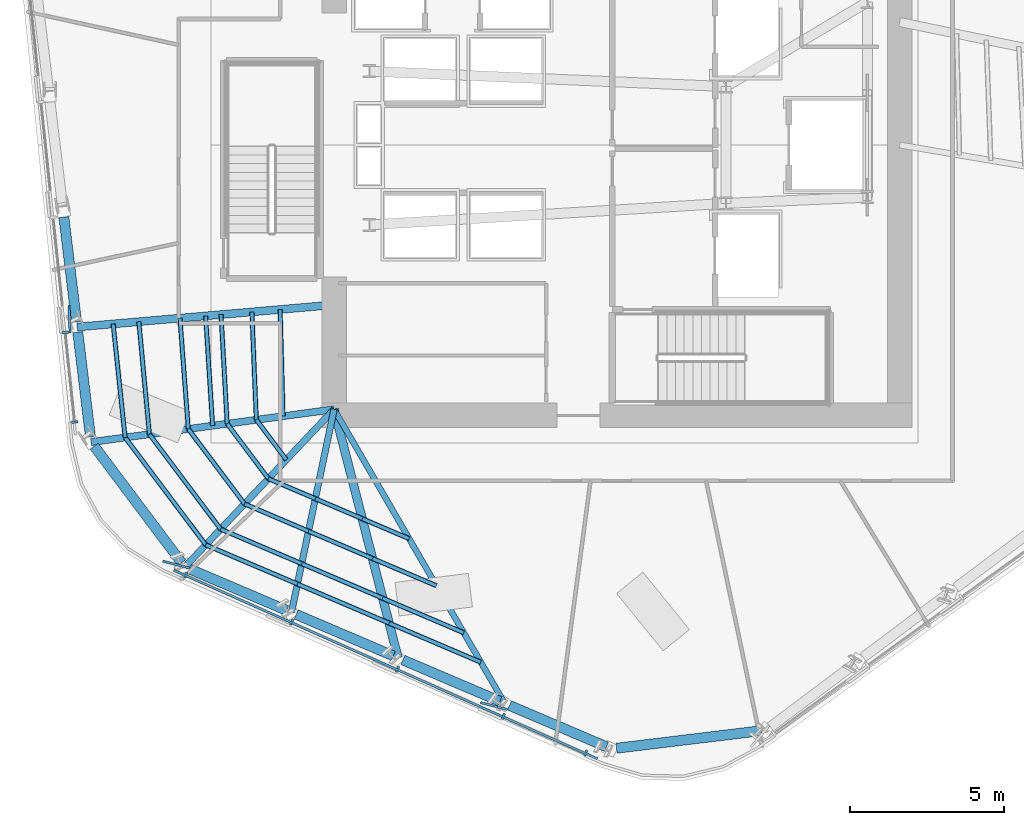
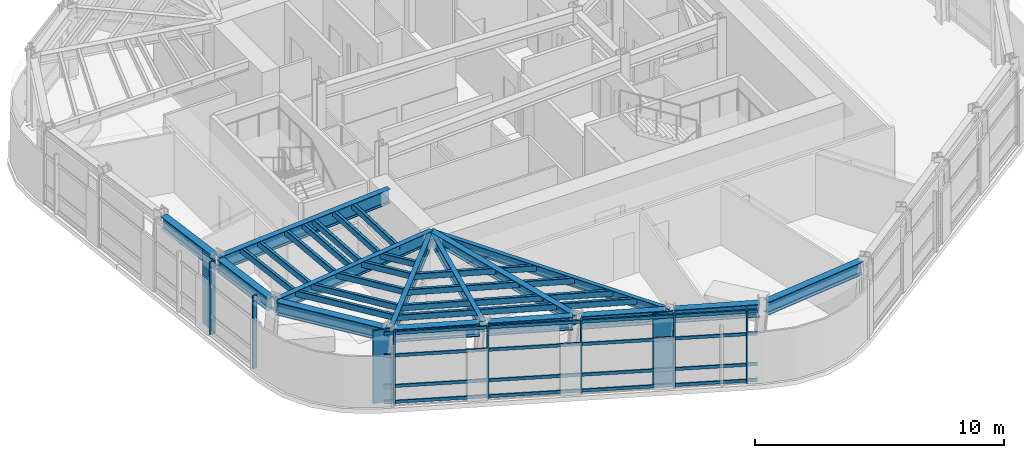
# One storey, part 2 of 14: 38 members, 14 beams, 2 elements without a shape of their own.
"""IFC4 building model written with IfcOpenShell, lengths in metres."""

import ifcopenshell
import ifcopenshell.guid

model = None  # the IFC model being written
_history = None  # IfcOwnerHistory: only IFC2X3 demands one
_inside = {}  # id of a spatial element -> (the spatial element, [elements in it])
_under = {}  # id of a project, library or spatial element -> (it, [spatial elements below it])
_declared = {}  # id of a project -> (the project, [libraries it declares])
_typed = {}  # id of a type object -> (the type object, [elements of that type])
_made_of = {}  # id of a material, layer set ... -> (it, [elements and type objects made of it])


def new_model(schema):
    """Start an empty IFC model of exactly this schema.

    Asked for "IFC4X3", IfcOpenShell would pick the latest addendum, in which some entities
    have other attributes; the version numbers below select the first issue.
    IFC2X3 requires an IfcOwnerHistory on every rooted entity: one is made here for all.
    """
    global model, _history
    if schema == "IFC4X3":
        model = ifcopenshell.file(schema_version=(4, 3, 0, 0))
    else:
        model = ifcopenshell.file(schema=schema)
    _inside.clear()
    _under.clear()
    _declared.clear()
    _typed.clear()
    _made_of.clear()
    _history = None
    if model.schema == "IFC2X3":
        org = make("IfcOrganization", Name="unknown")
        user = make(
            "IfcPersonAndOrganization",
            ThePerson=make("IfcPerson", FamilyName="unknown"),
            TheOrganization=org,
        )
        app = make(
            "IfcApplication",
            ApplicationDeveloper=org,
            Version="unknown",
            ApplicationFullName="unknown",
            ApplicationIdentifier="unknown",
        )
        _history = make(
            "IfcOwnerHistory",
            OwningUser=user,
            OwningApplication=app,
            ChangeAction="ADDED",
            CreationDate=0,
        )
    return model


def make(cls, **values):
    """One entity of the class cls with the attributes given. An attribute that is None is left unset."""
    return model.create_entity(
        cls, **{name: value for name, value in values.items() if value is not None}
    )


def rooted(cls, **values):
    """An entity with a GlobalId (a new one), such as an element, a storey or a relation."""
    return make(cls, GlobalId=ifcopenshell.guid.new(), OwnerHistory=_history, **values)


def si_unit(unit_type, name, prefix=None):
    """IfcSIUnit, for example si_unit("LENGTHUNIT", "METRE", prefix="MILLI")."""
    return make("IfcSIUnit", UnitType=unit_type, Prefix=prefix, Name=name)


def assignment(units):
    """IfcUnitAssignment: the units of a project."""
    return None if units is None else make("IfcUnitAssignment", Units=units)


def point(xyz):
    """IfcCartesianPoint."""
    return None if xyz is None else make("IfcCartesianPoint", Coordinates=xyz)


def direction(xyz):
    """IfcDirection."""
    return None if xyz is None else make("IfcDirection", DirectionRatios=xyz)


def frame(location, z_axis=None, x_axis=None):
    """IfcAxis2Placement3D, a coordinate frame: its origin and axes. An axis left out is left unset."""
    return make(
        "IfcAxis2Placement3D",
        Location=point(location),
        Axis=direction(z_axis),
        RefDirection=direction(x_axis),
    )


def frame_2d(location, x_axis=None):
    """IfcAxis2Placement2D, a coordinate frame in the plane: its origin and x axis."""
    return make(
        "IfcAxis2Placement2D", Location=point(location), RefDirection=direction(x_axis)
    )


def origin():
    """The frame at (0, 0, 0) with its axes left unset."""
    return frame((0.0, 0.0, 0.0))


def origin_2d():
    """The frame at (0, 0) in the plane with its x axis left unset."""
    return frame_2d((0.0, 0.0))


def place(relative_to, where):
    """IfcLocalPlacement: puts the frame where relative to a parent placement (None: the world)."""
    return make(
        "IfcLocalPlacement", PlacementRelTo=relative_to, RelativePlacement=where
    )


def context(
    kind, dimensions, precision=None, world=None, true_north=None, identifier=None
):
    """IfcGeometricRepresentationContext, for example the 3D "Model" context."""
    return make(
        "IfcGeometricRepresentationContext",
        ContextIdentifier=identifier,
        ContextType=kind,
        CoordinateSpaceDimension=dimensions,
        Precision=precision,
        WorldCoordinateSystem=world,
        TrueNorth=true_north,
    )


def subcontext(parent, identifier, kind, view, scale=None):
    """IfcGeometricRepresentationSubContext, for example "Body" below "Model"."""
    return make(
        "IfcGeometricRepresentationSubContext",
        ContextIdentifier=identifier,
        ContextType=kind,
        ParentContext=parent,
        TargetScale=scale,
        TargetView=view,
    )


def project(units=None, contexts=None):
    """IfcProject with its units and contexts."""
    return rooted(
        "IfcProject",
        Name="project",
        RepresentationContexts=contexts,
        UnitsInContext=assignment(units),
    )


def spatial(cls, under=None, at=None, **own):
    """A site, building, storey or space (cls), placed at a placement, below another one or the project."""
    s = rooted(cls, ObjectPlacement=at, **own)
    if under is not None:
        _under.setdefault(under.id(), (under, []))[1].append(s)
    return s


def profile(cls, at=None, kind="AREA", **sizes):
    """A parametric profile (cls). Its sizes go by their IFC names, for example OverallWidth=200.0."""
    return make(cls, ProfileType=kind, Position=at, **sizes)


def rectangle(**sizes):
    """IfcRectangleProfileDef."""
    return profile("IfcRectangleProfileDef", **sizes)


def hollow_rectangle(**sizes):
    """IfcRectangleHollowProfileDef."""
    return profile("IfcRectangleHollowProfileDef", **sizes)


def i_section(**sizes):
    """IfcIShapeProfileDef."""
    return profile("IfcIShapeProfileDef", **sizes)


def extrude(swept, where, along, depth):
    """IfcExtrudedAreaSolid: the profile swept, set in the frame where, extruded along a direction by depth."""
    return make(
        "IfcExtrudedAreaSolid",
        SweptArea=swept,
        Position=where,
        ExtrudedDirection=direction(along),
        Depth=depth,
    )


def shape(context_of_items, identifier, shape_type, items):
    """IfcShapeRepresentation: the items that make up one representation, for example the "Body"."""
    return make(
        "IfcShapeRepresentation",
        ContextOfItems=context_of_items,
        RepresentationIdentifier=identifier,
        RepresentationType=shape_type,
        Items=items,
    )


def material(Name=None, Category=None):
    """IfcMaterial."""
    return make("IfcMaterial", Name=Name, Category=Category)


def layer(
    of_material, thickness, ventilated=None, Name=None, Category=None, Priority=None
):
    """IfcMaterialLayer: one layer of a wall or slab, of a material (None: an air gap)."""
    return make(
        "IfcMaterialLayer",
        Material=of_material,
        LayerThickness=thickness,
        IsVentilated=ventilated,
        Name=Name,
        Category=Category,
        Priority=Priority,
    )


def layer_set(layers, Name=None):
    """IfcMaterialLayerSet."""
    return make("IfcMaterialLayerSet", MaterialLayers=layers, LayerSetName=Name)


def material_profile(
    of_material, cross_section, Name=None, Category=None, Priority=None
):
    """IfcMaterialProfile: a cross section and its material."""
    return make(
        "IfcMaterialProfile",
        Name=Name,
        Material=of_material,
        Profile=cross_section,
        Priority=Priority,
        Category=Category,
    )


def profile_set(profiles, Name=None, composite=None):
    """IfcMaterialProfileSet."""
    return make(
        "IfcMaterialProfileSet",
        Name=Name,
        MaterialProfiles=profiles,
        CompositeProfile=composite,
    )


def made_of(thing, what):
    """Note that an element or type object is made of a material, layer set ...; save() writes the relation."""
    if what is not None:
        _made_of.setdefault(what.id(), (what, []))[1].append(thing)
    return thing


def type_object(cls, material=None, **own):
    """A type object (cls), such as IfcWallType, which elements share."""
    return made_of(rooted(cls, **own), material)


def element(
    cls,
    number,
    at=None,
    inside=None,
    cuts=None,
    type_object=None,
    material=None,
    context=None,
    identifier="Body",
    shape_type=None,
    held_by="IfcProductDefinitionShape",
    body=None,
    shapes=None,
    **own,
):
    """One element of the class cls, such as IfcWall. Its Tag is "e" and its number.

    at: its placement. inside: the storey or other place that contains it. cuts: it is an
    opening in that element (IfcRelVoidsElement). A single representation is given by context,
    identifier, shape_type and body (its items); several are given by shapes. held_by: the class
    of the entity that holds the representations. save() writes the other relations.
    """
    e = rooted(cls, Tag="e%d" % number, ObjectPlacement=at, **own)
    if body is not None:
        shapes = [shape(context, identifier, shape_type, body)]
    if shapes is not None:
        e.Representation = make(held_by, Representations=shapes)
    if inside is not None:
        _inside.setdefault(inside.id(), (inside, []))[1].append(e)
    if cuts is not None:
        rooted(
            "IfcRelVoidsElement", RelatingBuildingElement=cuts, RelatedOpeningElement=e
        )
    if type_object is not None:
        _typed.setdefault(type_object.id(), (type_object, []))[1].append(e)
    return made_of(e, material)


def aggregate(whole, parts):
    """IfcRelAggregates: a whole, such as a stair, and the parts it consists of."""
    return rooted("IfcRelAggregates", RelatingObject=whole, RelatedObjects=parts)


def save(model, path):
    """Write the relations noted so far, then the file.

    IfcRelAggregates (storeys below a building ...), IfcRelContainedInSpatialStructure (elements
    in a storey), IfcRelDefinesByType, IfcRelAssociatesMaterial and IfcRelDeclares: one each for
    every whole, place, type object, material and project.
    """
    for whole, parts in _under.values():
        aggregate(whole, parts)
    for where, things in _inside.values():
        rooted(
            "IfcRelContainedInSpatialStructure",
            RelatedElements=things,
            RelatingStructure=where,
        )
    for kind, things in _typed.values():
        rooted("IfcRelDefinesByType", RelatedObjects=things, RelatingType=kind)
    for what, things in _made_of.values():
        rooted("IfcRelAssociatesMaterial", RelatedObjects=things, RelatingMaterial=what)
    for by, libraries in _declared.values():
        rooted("IfcRelDeclares", RelatingContext=by, RelatedDefinitions=libraries)
    model.write(path)


model = new_model("IFC4")

# Units and contexts
model_context = context("Model", 3, precision=1e-05, world=origin(), true_north=direction((0.0, 1.0)))
body_context = subcontext(model_context, "Body", "Model", "MODEL_VIEW")
ifc_project = project(units=[si_unit("LENGTHUNIT", "METRE"), si_unit("AREAUNIT", "SQUARE_METRE"), si_unit("VOLUMEUNIT", "CUBIC_METRE"), si_unit("PLANEANGLEUNIT", "RADIAN"), si_unit("MASSUNIT", "GRAM", prefix="KILO")], contexts=[model_context])

# Site, building, storey
site_placement = place(None, origin())
site = spatial("IfcSite", under=ifc_project, at=site_placement, CompositionType="ELEMENT")
building_placement = place(site_placement, origin())
building = spatial("IfcBuilding", under=site, at=building_placement, Name="Valkerne Bourse Tower", CompositionType="ELEMENT")
storey_placement = place(building_placement, frame((0.0, 0.0, 178.0)))
storey = spatial("IfcBuildingStorey", under=building, at=storey_placement, Name="L45", CompositionType="ELEMENT", Elevation=178.0)

# Beams
ifc_material_1 = material(Name="Steel ASTM A992", Category="steel")
ifc_material_profile_1 = material_profile(ifc_material_1, i_section(OverallWidth=0.1904296875, OverallDepth=0.457275390625, WebThickness=0.009033203125, FlangeThickness=0.014404296875, FilletRadius=0.01513671875, at=origin_2d()), Name="W18X50")
ifc_profile_set_1 = profile_set([ifc_material_profile_1], Name="Steel ASTM A992")
beam_type_1 = type_object("IfcBeamType", Name="BM-W18X50", PredefinedType="JOIST", material=ifc_profile_set_1)
beam_1_placement = place(storey_placement, frame((43.150390625, 8.83203125, 3.351318359375), z_axis=(-0.501780848801, 0.864994785982, 0.0), x_axis=(-0.864994785982, -0.501780848801, 0.0)))
element("IfcBeam", 1, at=beam_1_placement, inside=storey, type_object=beam_type_1, Name="L45 Radial Composite Floor Beam 18", PredefinedType="JOIST", context=body_context, shape_type="SweptSolid", body=[
    extrude(i_section(OverallWidth=0.1904296875, OverallDepth=0.457275390625, WebThickness=0.009033203125, FlangeThickness=0.014404296875, FilletRadius=0.01513671875, at=origin_2d()), origin(), (0.0, 0.0, 1.0), 11.061279296875),
])
ifc_material_profile_2 = material_profile(ifc_material_1, i_section(OverallWidth=0.279296875, OverallDepth=0.46240234375, WebThickness=0.0107421875, FlangeThickness=0.017333984375, FilletRadius=0.017822265625, at=origin_2d()), Name="W18X76")
ifc_profile_set_2 = profile_set([ifc_material_profile_2], Name="Steel ASTM A992")
beam_type_2 = type_object("IfcBeamType", Name="BM-W18X76", PredefinedType="BEAM", material=ifc_profile_set_2)
beam_2_placement = place(storey_placement, frame((39.681640625, 10.3115234375, 3.348876953125), z_axis=(-0.249229048794, 0.968444567973, 0.0), x_axis=(-0.968444567973, -0.249229048794, 0.0)))
element("IfcBeam", 2, at=beam_2_placement, inside=storey, type_object=beam_type_2, Name="L45 Radial Composite Floor Beam 17", PredefinedType="BEAM", context=body_context, shape_type="SweptSolid", body=[
    extrude(i_section(OverallWidth=0.279296875, OverallDepth=0.46240234375, WebThickness=0.0107421875, FlangeThickness=0.017333984375, FilletRadius=0.017822265625, at=origin_2d()), origin(), (0.0, 0.0, 1.0), 8.351806640625),
])
ifc_material_profile_3 = material_profile(ifc_material_1, i_section(OverallWidth=0.209228515625, OverallDepth=0.533447265625, WebThickness=0.01025390625, FlangeThickness=0.015625, FilletRadius=0.017822265625, at=origin_2d()), Name="W21X62")
ifc_profile_set_3 = profile_set([ifc_material_profile_3], Name="Steel ASTM A992")
beam_type_3 = type_object("IfcBeamType", Name="BM-W21X62", PredefinedType="JOIST", material=ifc_profile_set_3)
beam_3_placement = place(storey_placement, frame((36.213134765625, 11.791015625, 3.313232421875), z_axis=(0.205389113903, 0.978680393126, 0.0), x_axis=(-0.978680393126, 0.205389113903, 0.0)))
element("IfcBeam", 3, at=beam_3_placement, inside=storey, type_object=beam_type_3, Name="L45 Radial Composite Floor Beam 16", PredefinedType="JOIST", context=body_context, shape_type="SweptSolid", body=[
    extrude(i_section(OverallWidth=0.209228515625, OverallDepth=0.533447265625, WebThickness=0.01025390625, FlangeThickness=0.015625, FilletRadius=0.017822265625, at=origin_2d()), origin(), (0.0, 0.0, 1.0), 6.7529296875),
])
ifc_material_profile_4 = material_profile(ifc_material_1, i_section(OverallWidth=0.2138671875, OverallDepth=0.548583984375, WebThickness=0.0146484375, FlangeThickness=0.023681640625, FilletRadius=0.017822265625, at=origin_2d()), Name="W21X93")
ifc_profile_set_4 = profile_set([ifc_material_profile_4], Name="Steel ASTM A992")
beam_type_4 = type_object("IfcBeamType", Name="BM-W21X93", PredefinedType="BEAM", material=ifc_profile_set_4)
beam_4_placement = place(storey_placement, frame((32.744384765625, 13.2705078125, 3.3056640625), z_axis=(0.687467521052, 0.726215124807, 0.0), x_axis=(-0.726215124807, 0.687467521052, 0.0)))
element("IfcBeam", 4, at=beam_4_placement, inside=storey, type_object=beam_type_4, Name="L45 Radial Composite Floor Beam 15", PredefinedType="BEAM", context=body_context, shape_type="SweptSolid", body=[
    extrude(i_section(OverallWidth=0.2138671875, OverallDepth=0.548583984375, WebThickness=0.0146484375, FlangeThickness=0.023681640625, FilletRadius=0.017822265625, at=origin_2d()), origin(), (0.0, 0.0, 1.0), 7.063232421875),
])
ifc_material_profile_5 = material_profile(ifc_material_1, i_section(OverallWidth=0.32763671875, OverallDepth=0.62744140625, WebThickness=0.0166015625, FlangeThickness=0.027587890625, FilletRadius=0.020263671875, at=origin_2d()), Name="W24X146")
ifc_profile_set_5 = profile_set([ifc_material_profile_5], Name="Steel ASTM A992")
beam_type_5 = type_object("IfcBeamType", Name="BM-W24X146", PredefinedType="SPANDREL", material=ifc_profile_set_5)
beam_5_placement = place(storey_placement, frame((28.80859375, 24.651611328125, 3.266357421875), z_axis=(0.120110364146, -0.992760545361, 0.0), x_axis=(0.992760545361, 0.120110364146, 0.0)))
element("IfcBeam", 5, at=beam_5_placement, inside=storey, type_object=beam_type_5, Name="L45 Hexagonal Spandrel Ring Beam 12", PredefinedType="SPANDREL", context=body_context, shape_type="SweptSolid", body=[
    extrude(i_section(OverallWidth=0.32763671875, OverallDepth=0.62744140625, WebThickness=0.0166015625, FlangeThickness=0.027587890625, FilletRadius=0.020263671875, at=origin_2d()), origin(), (0.0, 0.0, 1.0), 3.43115234375),
])
beam_6_placement = place(storey_placement, frame((29.26171875, 20.90771484375, 3.266357421875), z_axis=(0.120118849374, -0.992759518728, 0.0), x_axis=(0.992759518728, 0.120118849374, 0.0)))
element("IfcBeam", 6, at=beam_6_placement, inside=storey, type_object=beam_type_5, Name="L45 Hexagonal Spandrel Ring Beam 13", PredefinedType="SPANDREL", context=body_context, shape_type="SweptSolid", body=[
    extrude(i_section(OverallWidth=0.32763671875, OverallDepth=0.62744140625, WebThickness=0.0166015625, FlangeThickness=0.027587890625, FilletRadius=0.020263671875, at=origin_2d()), origin(), (0.0, 0.0, 1.0), 3.430908203125),
])
beam_7_placement = place(storey_placement, frame((29.79638671875, 17.197021484375, 3.266357421875), z_axis=(0.600411972894, -0.799690854521, 0.0), x_axis=(0.799690854521, 0.600411972894, 0.0)))
element("IfcBeam", 7, at=beam_7_placement, inside=storey, type_object=beam_type_5, Name="L45 Hexagonal Spandrel Ring Beam 14", PredefinedType="SPANDREL", context=body_context, shape_type="SweptSolid", body=[
    extrude(i_section(OverallWidth=0.32763671875, OverallDepth=0.62744140625, WebThickness=0.0166015625, FlangeThickness=0.027587890625, FilletRadius=0.020263671875, at=origin_2d()), origin(), (0.0, 0.0, 1.0), 4.739990234375),
])
beam_8_placement = place(storey_placement, frame((32.90087890625, 13.203857421875, 3.266357421875), z_axis=(0.91980624848, -0.392372865087, 0.0), x_axis=(0.392372865087, 0.91980624848, 0.0)))
element("IfcBeam", 8, at=beam_8_placement, inside=storey, type_object=beam_type_5, Name="L45 Hexagonal Spandrel Ring Beam 15", PredefinedType="SPANDREL", context=body_context, shape_type="SweptSolid", body=[
    extrude(i_section(OverallWidth=0.32763671875, OverallDepth=0.62744140625, WebThickness=0.0166015625, FlangeThickness=0.027587890625, FilletRadius=0.020263671875, at=origin_2d()), origin(), (0.0, 0.0, 1.0), 3.430908203125),
])
beam_9_placement = place(storey_placement, frame((36.369384765625, 11.724365234375, 3.266357421875), z_axis=(0.919817202852, -0.392347184693, 0.0), x_axis=(0.392347184693, 0.919817202852, 0.0)))
element("IfcBeam", 9, at=beam_9_placement, inside=storey, type_object=beam_type_5, Name="L45 Hexagonal Spandrel Ring Beam 16", PredefinedType="SPANDREL", context=body_context, shape_type="SweptSolid", body=[
    extrude(i_section(OverallWidth=0.32763671875, OverallDepth=0.62744140625, WebThickness=0.0166015625, FlangeThickness=0.027587890625, FilletRadius=0.020263671875, at=origin_2d()), origin(), (0.0, 0.0, 1.0), 3.43115234375),
])
for number, where, z_axis, x_axis, name in (
    (10, (39.838134765625, 10.244873046875, 3.266357421875), (0.91980624848, -0.392372865087, 0.0), (0.392372865087, 0.91980624848, 0.0), "L45 Hexagonal Spandrel Ring Beam 17"),
    (11, (43.306884765625, 8.765380859375, 3.266357421875), (0.91980624848, -0.392372865087, 0.0), (0.392372865087, 0.91980624848, 0.0), "L45 Hexagonal Spandrel Ring Beam 18"),
):
    element("IfcBeam", number, at=place(storey_placement, frame(where, z_axis=z_axis, x_axis=x_axis)), inside=storey, type_object=beam_type_5, Name=name, PredefinedType="SPANDREL", context=body_context, shape_type="SweptSolid", body=[
        extrude(i_section(OverallWidth=0.32763671875, OverallDepth=0.62744140625, WebThickness=0.0166015625, FlangeThickness=0.027587890625, FilletRadius=0.020263671875, at=origin_2d()), origin(), (0.0, 0.0, 1.0), 3.430908203125),
    ])
beam_10_placement = place(storey_placement, frame((46.787841796875, 7.372802734375, 3.266357421875), z_axis=(0.992753718769, 0.120166775235, 0.0), x_axis=(-0.120166775235, 0.992753718769, 0.0)))
element("IfcBeam", 12, at=beam_10_placement, inside=storey, type_object=beam_type_5, Name="L45 Hexagonal Spandrel Ring Beam 19", PredefinedType="SPANDREL", context=body_context, shape_type="SweptSolid", body=[
    extrude(i_section(OverallWidth=0.32763671875, OverallDepth=0.62744140625, WebThickness=0.0166015625, FlangeThickness=0.027587890625, FilletRadius=0.020263671875, at=origin_2d()), origin(), (0.0, 0.0, 1.0), 4.739990234375),
])
ifc_material_profile_6 = material_profile(ifc_material_1, i_section(OverallWidth=0.228271484375, OverallDepth=0.607177734375, WebThickness=0.01123046875, FlangeThickness=0.017333984375, FilletRadius=0.017822265625, at=origin_2d()), Name="W24X76")
ifc_profile_set_6 = profile_set([ifc_material_profile_6], Name="Steel ASTM A992")
beam_type_6 = type_object("IfcBeamType", Name="BM-W24X76", PredefinedType="JOIST", material=ifc_profile_set_6)
beam_11_placement = place(storey_placement, frame((29.694091796875, 17.3330078125, 3.276611328125), z_axis=(0.991017111105, 0.133735131876, 0.0), x_axis=(-0.133735131876, 0.991017111105, 0.0)))
element("IfcBeam", 13, at=beam_11_placement, inside=storey, type_object=beam_type_6, Name="L45 Radial Composite Floor Beam 14", PredefinedType="JOIST", context=body_context, shape_type="SweptSolid", body=[
    extrude(i_section(OverallWidth=0.228271484375, OverallDepth=0.607177734375, WebThickness=0.01123046875, FlangeThickness=0.017333984375, FilletRadius=0.017822265625, at=origin_2d()), origin(), (0.0, 0.0, 1.0), 7.977783203125),
])
ifc_material_profile_7 = material_profile(ifc_material_1, i_section(OverallWidth=0.255859375, OverallDepth=0.693359375, WebThickness=0.014404296875, FlangeThickness=0.023681640625, FilletRadius=0.02294921875, at=origin_2d()), Name="W27X114")
ifc_profile_set_7 = profile_set([ifc_material_profile_7], Name="Steel ASTM A992")
beam_type_7 = type_object("IfcBeamType", Name="BM-W27X114", PredefinedType="BEAM", material=ifc_profile_set_7)
beam_12_placement = place(storey_placement, frame((29.2412109375, 21.07666015625, 3.2333984375), z_axis=(0.996276207995, 0.086219008245, 0.0), x_axis=(-0.086219008245, 0.996276207995, 0.0)))
element("IfcBeam", 14, at=beam_12_placement, inside=storey, type_object=beam_type_7, Name="L45 Radial Composite Floor Beam 13", PredefinedType="BEAM", context=body_context, shape_type="SweptSolid", body=[
    extrude(i_section(OverallWidth=0.255859375, OverallDepth=0.693359375, WebThickness=0.014404296875, FlangeThickness=0.023681640625, FilletRadius=0.02294921875, at=origin_2d()), origin(), (0.0, 0.0, 1.0), 8.39013671875),
])

# Curtain wall, members
ifc_material_2 = material(Name="Aluminium AA 6063-T6", Category="aluminium")
ifc_layer = layer(ifc_material_2, 0.235107421875)
ifc_layer_set = layer_set([ifc_layer], Name="Aluminium AA 6063-T6")
curtain_wall_type = type_object("IfcCurtainWallType", Name="CW-03", PredefinedType="NOTDEFINED", material=ifc_layer_set)
curtain_wall_1_placement = place(storey_placement, origin())
curtain_wall_1 = element("IfcCurtainWall", 15, at=curtain_wall_1_placement, inside=storey, type_object=curtain_wall_type, Name="L45 Hexagonal Stick Curtain Wall Face 3", PredefinedType="NOTDEFINED")
ifc_material_profile_8 = material_profile(ifc_material_2, rectangle(XDim=0.074951171875, YDim=0.199951171875, at=origin_2d()), Name="CWM-75X200")
ifc_profile_set_8 = profile_set([ifc_material_profile_8], Name="Aluminium AA 6063-T6")
member_type_1 = type_object("IfcMemberType", Name="CW-MUL-220X75", PredefinedType="MULLION", material=ifc_profile_set_8)
member_1_placement = place(storey_placement, frame((28.856201171875, 20.89990234375, 0.0), z_axis=(0.0, 0.0, 1.0), x_axis=(0.104532941982, -0.994521424626, 0.0)))
member_1 = element("IfcMember", 16, at=member_1_placement, type_object=member_type_1, Name="CW-L45-F3 Jamb Mullion 03A", PredefinedType="MULLION", context=body_context, shape_type="SweptSolid", body=[
    extrude(rectangle(XDim=0.074951171875, YDim=0.199951171875, at=origin_2d()), origin(), (0.0, 0.0, 1.0), 3.580078125),
])
member_2_placement = place(storey_placement, frame((29.16259765625, 17.985107421875, 0.0), z_axis=(0.0, 0.0, 1.0), x_axis=(0.104532941982, -0.994521424626, 0.0)))
member_2 = element("IfcMember", 17, at=member_2_placement, type_object=member_type_1, Name="CW-L45-F3 Jamb Mullion 03B", PredefinedType="MULLION", context=body_context, shape_type="SweptSolid", body=[
    extrude(rectangle(XDim=0.074951171875, YDim=0.199951171875, at=origin_2d()), origin(), (0.0, 0.0, 1.0), 3.580078125),
])
aggregate(curtain_wall_1, [member_1, member_2])

curtain_wall_2_placement = place(storey_placement, origin())
curtain_wall_2 = element("IfcCurtainWall", 18, at=curtain_wall_2_placement, inside=storey, type_object=curtain_wall_type, Name="L45 Hexagonal Stick Curtain Wall Face 4", PredefinedType="NOTDEFINED")
member_3_placement = place(storey_placement, frame((32.77587890625, 13.011474609375, 0.0), z_axis=(0.0, 0.0, 1.0), x_axis=(0.913546720929, -0.406733805676, 0.0)))
member_3 = element("IfcMember", 19, at=member_3_placement, type_object=member_type_1, Name="CW-L45-F4 Jamb Mullion 00A", PredefinedType="MULLION", context=body_context, shape_type="SweptSolid", body=[
    extrude(rectangle(XDim=0.074951171875, YDim=0.199951171875, at=origin_2d()), origin(), (0.0, 0.0, 1.0), 3.580078125),
])
member_4_placement = place(storey_placement, frame((36.220947265625, 11.477783203125, 0.0), z_axis=(0.0, 0.0, 1.0), x_axis=(0.913546720929, -0.406733805676, 0.0)))
member_4 = element("IfcMember", 20, at=member_4_placement, type_object=member_type_1, Name="CW-L45-F4 Jamb Mullion 01A", PredefinedType="MULLION", context=body_context, shape_type="SweptSolid", body=[
    extrude(rectangle(XDim=0.074951171875, YDim=0.199951171875, at=origin_2d()), origin(), (0.0, 0.0, 1.0), 3.580078125),
])
member_5_placement = place(storey_placement, frame((39.666015625, 9.94384765625, 0.0), z_axis=(0.0, 0.0, 1.0), x_axis=(0.913546720929, -0.406733805676, 0.0)))
member_5 = element("IfcMember", 21, at=member_5_placement, type_object=member_type_1, Name="CW-L45-F4 Jamb Mullion 02A", PredefinedType="MULLION", context=body_context, shape_type="SweptSolid", body=[
    extrude(rectangle(XDim=0.074951171875, YDim=0.199951171875, at=origin_2d()), origin(), (0.0, 0.0, 1.0), 3.580078125),
])
member_6_placement = place(storey_placement, frame((43.11083984375, 8.41015625, 0.0), z_axis=(0.0, 0.0, 1.0), x_axis=(0.913542333826, -0.406743659211, 0.0)))
member_6 = element("IfcMember", 22, at=member_6_placement, type_object=member_type_1, Name="CW-L45-F4 Jamb Mullion 03A", PredefinedType="MULLION", context=body_context, shape_type="SweptSolid", body=[
    extrude(rectangle(XDim=0.074951171875, YDim=0.199951171875, at=origin_2d()), origin(), (0.0, 0.0, 1.0), 3.580078125),
])
member_7_placement = place(storey_placement, frame((45.788330078125, 7.218017578125, 0.0), z_axis=(0.0, 0.0, 1.0), x_axis=(0.913542333826, -0.406743659211, 0.0)))
member_7 = element("IfcMember", 23, at=member_7_placement, type_object=member_type_1, Name="CW-L45-F4 Jamb Mullion 03B", PredefinedType="MULLION", context=body_context, shape_type="SweptSolid", body=[
    extrude(rectangle(XDim=0.074951171875, YDim=0.199951171875, at=origin_2d()), origin(), (0.0, 0.0, 1.0), 3.580078125),
])
ifc_material_profile_9 = material_profile(ifc_material_2, rectangle(XDim=0.074951171875, YDim=0.14990234375, at=origin_2d()), Name="CWT-75X150")
ifc_profile_set_9 = profile_set([ifc_material_profile_9], Name="Aluminium AA 6063-T6")
member_type_2 = type_object("IfcMemberType", Name="CW-TRN-180X65", PredefinedType="USERDEFINED", material=ifc_profile_set_9)
member_8_placement = place(storey_placement, frame((32.384033203125, 13.1640625, 0.1201171875), z_axis=(0.913545714349, -0.406736066502, 0.0), x_axis=(0.406736066502, 0.913545714349, 0.0)))
member_8 = element("IfcMember", 24, at=member_8_placement, type_object=member_type_2, Name="CW-L45-F4 Continuous Face Transom 1", ObjectType="TRANSOM", PredefinedType="USERDEFINED", context=body_context, shape_type="SweptSolid", body=[
    extrude(rectangle(XDim=0.074951171875, YDim=0.14990234375, at=origin_2d()), origin(), (0.0, 0.0, 1.0), 15.084228515625),
])
member_9_placement = place(storey_placement, frame((32.384033203125, 13.1640625, 0.89990234375), z_axis=(0.913545714349, -0.406736066502, 0.0), x_axis=(0.406736066502, 0.913545714349, 0.0)))
member_9 = element("IfcMember", 25, at=member_9_placement, type_object=member_type_2, Name="CW-L45-F4 Continuous Face Transom 2", ObjectType="TRANSOM", PredefinedType="USERDEFINED", context=body_context, shape_type="SweptSolid", body=[
    extrude(rectangle(XDim=0.074951171875, YDim=0.14990234375, at=origin_2d()), origin(), (0.0, 0.0, 1.0), 15.084228515625),
])
member_10_placement = place(storey_placement, frame((32.384033203125, 13.1640625, 2.39990234375), z_axis=(0.913545714349, -0.406736066502, 0.0), x_axis=(0.406736066502, 0.913545714349, 0.0)))
member_10 = element("IfcMember", 26, at=member_10_placement, type_object=member_type_2, Name="CW-L45-F4 Continuous Face Transom 3", ObjectType="TRANSOM", PredefinedType="USERDEFINED", context=body_context, shape_type="SweptSolid", body=[
    extrude(rectangle(XDim=0.074951171875, YDim=0.14990234375, at=origin_2d()), origin(), (0.0, 0.0, 1.0), 15.084228515625),
])
member_11_placement = place(storey_placement, frame((32.384033203125, 13.1640625, 3.5), z_axis=(0.913545714349, -0.406736066502, 0.0), x_axis=(0.406736066502, 0.913545714349, 0.0)))
member_11 = element("IfcMember", 27, at=member_11_placement, type_object=member_type_2, Name="CW-L45-F4 Continuous Face Transom 4", ObjectType="TRANSOM", PredefinedType="USERDEFINED", context=body_context, shape_type="SweptSolid", body=[
    extrude(rectangle(XDim=0.074951171875, YDim=0.14990234375, at=origin_2d()), origin(), (0.0, 0.0, 1.0), 15.084228515625),
])
aggregate(curtain_wall_2, [member_8, member_9, member_10, member_11, member_3, member_4, member_5, member_6, member_7])

# Members
ifc_material_3 = material(Name="Bronze Anodised Aluminium AA 6063-T6", Category="aluminium")
ifc_material_profile_10 = material_profile(ifc_material_3, rectangle(XDim=0.070068359375, YDim=0.89990234375, at=origin_2d()), Name="FIN-70X900")
ifc_profile_set_10 = profile_set([ifc_material_profile_10], Name="Bronze Anodised Aluminium AA 6063-T6")
member_type_3 = type_object("IfcMemberType", Name="FIN-SOLAR-900", PredefinedType="USERDEFINED", material=ifc_profile_set_10)
for number, where, z_axis, x_axis, name in (
    (28, (28.9912109375, 21.33642578125, 0.00390625), (0.0, 0.0, 1.0), (-0.999376056783, -0.035319925384, 0.0), "L45 Bronze Anodised Solar Fin F3-03"),
    (29, (32.46533203125, 13.3466796875, 0.00390625), (0.0, 0.0, 1.0), (-0.248061417178, -0.968744307497, 0.0), "L45 Bronze Anodised Solar Fin F4-00"),
    (30, (42.80029296875, 8.745361328125, 0.00390625), (0.0, 0.0, 1.0), (-0.248073718073, -0.968741157586, 0.0), "L45 Bronze Anodised Solar Fin F4-03"),
):
    element("IfcMember", number, at=place(storey_placement, frame(where, z_axis=z_axis, x_axis=x_axis)), inside=storey, type_object=member_type_3, Name=name, ObjectType="SOLAR_FIN", PredefinedType="USERDEFINED", context=body_context, shape_type="SweptSolid", body=[
        extrude(rectangle(XDim=0.070068359375, YDim=0.89990234375, at=origin_2d()), origin(), (0.0, 0.0, 1.0), 3.572021484375),
    ])
ifc_material_4 = material(Name="Steel ASTM A500 Grade C", Category="steel")
ifc_material_profile_11 = material_profile(ifc_material_4, hollow_rectangle(XDim=0.14990234375, YDim=0.300048828125, WallThickness=0.012451171875, OuterFilletRadius=0.02490234375, at=origin_2d()), Name="HSS300X150X12.5")
ifc_profile_set_11 = profile_set([ifc_material_profile_11], Name="Steel ASTM A500 Grade C")
member_type_4 = type_object("IfcMemberType", Name="MBR-HSS300X150X12.5", PredefinedType="PURLIN", material=ifc_profile_set_11)
member_12_placement = place(storey_placement, frame((34.92529296875, 21.568603515625, 3.419921875), z_axis=(0.041211394354, -0.99915044962, 0.0), x_axis=(0.99915044962, 0.041211394354, 0.0)))
element("IfcMember", 31, at=member_12_placement, inside=storey, type_object=member_type_4, Name="L45 Secondary Composite Floor Purlin I-13", PredefinedType="PURLIN", context=body_context, shape_type="SweptSolid", body=[
    extrude(hollow_rectangle(XDim=0.14990234375, YDim=0.300048828125, WallThickness=0.012451171875, OuterFilletRadius=0.02490234375, at=origin_2d()), origin(), (0.0, 0.0, 1.0), 3.512939453125),
])
member_13_placement = place(storey_placement, frame((35.070068359375, 18.05859375, 3.419921875), z_axis=(0.600408403741, -0.799693534247, 0.0), x_axis=(0.799693534247, 0.600408403741, 0.0)))
element("IfcMember", 32, at=member_13_placement, inside=storey, type_object=member_type_4, Name="L45 Secondary Composite Floor Purlin I-14", PredefinedType="PURLIN", context=body_context, shape_type="SweptSolid", body=[
    extrude(hollow_rectangle(XDim=0.14990234375, YDim=0.300048828125, WallThickness=0.012451171875, OuterFilletRadius=0.02490234375, at=origin_2d()), origin(), (0.0, 0.0, 1.0), 1.625732421875),
])
member_14_placement = place(storey_placement, frame((33.922119140625, 21.481689453125, 3.419921875), z_axis=(0.05600983481, -0.998430217093, 0.0), x_axis=(0.998430217093, 0.05600983481, 0.0)))
element("IfcMember", 33, at=member_14_placement, inside=storey, type_object=member_type_4, Name="L45 Secondary Composite Floor Purlin K-13", PredefinedType="PURLIN", context=body_context, shape_type="SweptSolid", body=[
    extrude(hollow_rectangle(XDim=0.14990234375, YDim=0.300048828125, WallThickness=0.012451171875, OuterFilletRadius=0.02490234375, at=origin_2d()), origin(), (0.0, 0.0, 1.0), 3.556884765625),
])
member_15_placement = place(storey_placement, frame((34.121337890625, 17.930419921875, 3.419921875), z_axis=(0.600436830167, -0.79967219095, 0.0), x_axis=(0.79967219095, 0.600436830167, 0.0)))
element("IfcMember", 34, at=member_15_placement, inside=storey, type_object=member_type_4, Name="L45 Secondary Composite Floor Purlin K-14", PredefinedType="PURLIN", context=body_context, shape_type="SweptSolid", body=[
    extrude(hollow_rectangle(XDim=0.14990234375, YDim=0.300048828125, WallThickness=0.012451171875, OuterFilletRadius=0.02490234375, at=origin_2d()), origin(), (0.0, 0.0, 1.0), 2.235107421875),
])
member_16_placement = place(storey_placement, frame((35.46337890625, 16.14306640625, 3.419921875), z_axis=(0.919805780191, -0.392373962855, 0.0), x_axis=(0.392373962855, 0.919805780191, 0.0)))
element("IfcMember", 35, at=member_16_placement, inside=storey, type_object=member_type_4, Name="L45 Secondary Composite Floor Purlin K-15", PredefinedType="PURLIN", context=body_context, shape_type="SweptSolid", body=[
    extrude(hollow_rectangle(XDim=0.14990234375, YDim=0.300048828125, WallThickness=0.012451171875, OuterFilletRadius=0.02490234375, at=origin_2d()), origin(), (0.0, 0.0, 1.0), 1.659423828125),
])
member_17_placement = place(storey_placement, frame((36.98974609375, 15.491943359375, 3.419921875), z_axis=(0.919836230241, -0.39230257396, 0.0), x_axis=(0.39230257396, 0.919836230241, 0.0)))
element("IfcMember", 36, at=member_17_placement, inside=storey, type_object=member_type_4, Name="L45 Secondary Composite Floor Purlin K-16", PredefinedType="PURLIN", context=body_context, shape_type="SweptSolid", body=[
    extrude(hollow_rectangle(XDim=0.14990234375, YDim=0.300048828125, WallThickness=0.012451171875, OuterFilletRadius=0.02490234375, at=origin_2d()), origin(), (0.0, 0.0, 1.0), 1.6591796875),
])
member_18_placement = place(storey_placement, frame((38.515869140625, 14.841064453125, 3.419921875), z_axis=(0.919858872261, -0.392249480718, 0.0), x_axis=(0.392249480718, 0.919858872261, 0.0)))
element("IfcMember", 37, at=member_18_placement, inside=storey, type_object=member_type_4, Name="L45 Secondary Composite Floor Purlin K-17", PredefinedType="PURLIN", context=body_context, shape_type="SweptSolid", body=[
    extrude(hollow_rectangle(XDim=0.14990234375, YDim=0.300048828125, WallThickness=0.012451171875, OuterFilletRadius=0.02490234375, at=origin_2d()), origin(), (0.0, 0.0, 1.0), 1.659423828125),
])
member_19_placement = place(storey_placement, frame((33.420654296875, 21.438232421875, 3.419921875), z_axis=(0.063304080432, -0.997994285255, 0.0), x_axis=(0.997994285255, 0.063304080432, 0.0)))
element("IfcMember", 38, at=member_19_placement, inside=storey, type_object=member_type_4, Name="L45 Secondary Composite Floor Purlin M-13", PredefinedType="PURLIN", context=body_context, shape_type="SweptSolid", body=[
    extrude(hollow_rectangle(XDim=0.14990234375, YDim=0.300048828125, WallThickness=0.012451171875, OuterFilletRadius=0.02490234375, at=origin_2d()), origin(), (0.0, 0.0, 1.0), 3.578857421875),
])
member_20_placement = place(storey_placement, frame((31.247314453125, 21.250244140625, 3.419921875), z_axis=(0.093612184608, -0.995608737855, 0.0), x_axis=(0.995608737855, 0.093612184608, 0.0)))
element("IfcMember", 39, at=member_20_placement, inside=storey, type_object=member_type_4, Name="L45 Secondary Composite Floor Purlin O-13", PredefinedType="PURLIN", context=body_context, shape_type="SweptSolid", body=[
    extrude(hollow_rectangle(XDim=0.14990234375, YDim=0.300048828125, WallThickness=0.012451171875, OuterFilletRadius=0.02490234375, at=origin_2d()), origin(), (0.0, 0.0, 1.0), 3.67724609375),
])
member_21_placement = place(storey_placement, frame((31.591552734375, 17.589111328125, 3.419921875), z_axis=(0.600424860595, -0.799681178208, 0.0), x_axis=(0.799681178208, 0.600424860595, 0.0)))
element("IfcMember", 40, at=member_21_placement, inside=storey, type_object=member_type_4, Name="L45 Secondary Composite Floor Purlin O-14", PredefinedType="PURLIN", context=body_context, shape_type="SweptSolid", body=[
    extrude(hollow_rectangle(XDim=0.14990234375, YDim=0.300048828125, WallThickness=0.012451171875, OuterFilletRadius=0.02490234375, at=origin_2d()), origin(), (0.0, 0.0, 1.0), 3.86083984375),
])
for number, where, z_axis, x_axis, name in (
    (41, (33.90966796875, 14.501708984375, 3.419921875), (0.919813421625, -0.392356049269, 0.0), (0.392356049269, 0.919813421625, 0.0), "L45 Secondary Composite Floor Purlin O-15"),
    (42, (36.5458984375, 13.377197265625, 3.419921875), (0.919813421625, -0.392356049269, 0.0), (0.392356049269, 0.919813421625, 0.0), "L45 Secondary Composite Floor Purlin O-16"),
    (43, (39.18212890625, 12.252685546875, 3.419921875), (0.91984416214, -0.392283975427, 0.0), (0.392283975427, 0.91984416214, 0.0), "L45 Secondary Composite Floor Purlin O-17"),
):
    element("IfcMember", number, at=place(storey_placement, frame(where, z_axis=z_axis, x_axis=x_axis)), inside=storey, type_object=member_type_4, Name=name, PredefinedType="PURLIN", context=body_context, shape_type="SweptSolid", body=[
        extrude(hollow_rectangle(XDim=0.14990234375, YDim=0.300048828125, WallThickness=0.012451171875, OuterFilletRadius=0.02490234375, at=origin_2d()), origin(), (0.0, 0.0, 1.0), 2.865966796875),
    ])
member_22_placement = place(storey_placement, frame((32.584716796875, 21.365966796875, 3.419921875), z_axis=(0.075137347843, -0.997173194064, 0.0), x_axis=(0.997173194064, 0.075137347843, 0.0)))
element("IfcMember", 44, at=member_22_placement, inside=storey, type_object=member_type_4, Name="L45 Secondary Composite Floor Purlin Z-13", PredefinedType="PURLIN", context=body_context, shape_type="SweptSolid", body=[
    extrude(hollow_rectangle(XDim=0.14990234375, YDim=0.300048828125, WallThickness=0.012451171875, OuterFilletRadius=0.02490234375, at=origin_2d()), origin(), (0.0, 0.0, 1.0), 3.616455078125),
])
member_23_placement = place(storey_placement, frame((32.8564453125, 17.759765625, 3.419921875), z_axis=(0.600410019791, -0.799692320917, 0.0), x_axis=(0.799692320917, 0.600410019791, 0.0)))
element("IfcMember", 45, at=member_23_placement, inside=storey, type_object=member_type_4, Name="L45 Secondary Composite Floor Purlin Z-14", PredefinedType="PURLIN", context=body_context, shape_type="SweptSolid", body=[
    extrude(hollow_rectangle(XDim=0.14990234375, YDim=0.300048828125, WallThickness=0.012451171875, OuterFilletRadius=0.02490234375, at=origin_2d()), origin(), (0.0, 0.0, 1.0), 3.048095703125),
])
for number, where, z_axis, x_axis, name in (
    (46, (34.6865234375, 15.322265625, 3.419921875), (0.919830088659, -0.392316973884, 0.0), (0.392316973884, 0.919830088659, 0.0), "L45 Secondary Composite Floor Purlin Z-15"),
    (47, (36.767822265625, 14.4345703125, 3.419921875), (0.919830088659, -0.392316973884, 0.0), (0.392316973884, 0.919830088659, 0.0), "L45 Secondary Composite Floor Purlin Z-16"),
):
    element("IfcMember", number, at=place(storey_placement, frame(where, z_axis=z_axis, x_axis=x_axis)), inside=storey, type_object=member_type_4, Name=name, PredefinedType="PURLIN", context=body_context, shape_type="SweptSolid", body=[
        extrude(hollow_rectangle(XDim=0.14990234375, YDim=0.300048828125, WallThickness=0.012451171875, OuterFilletRadius=0.02490234375, at=origin_2d()), origin(), (0.0, 0.0, 1.0), 2.2626953125),
    ])
member_24_placement = place(storey_placement, frame((38.84912109375, 13.546875, 3.419921875), z_axis=(0.91981347933, -0.392355913989, 0.0), x_axis=(0.392355913989, 0.91981347933, 0.0)))
element("IfcMember", 48, at=member_24_placement, inside=storey, type_object=member_type_4, Name="L45 Secondary Composite Floor Purlin Z-17", PredefinedType="PURLIN", context=body_context, shape_type="SweptSolid", body=[
    extrude(hollow_rectangle(XDim=0.14990234375, YDim=0.300048828125, WallThickness=0.012451171875, OuterFilletRadius=0.02490234375, at=origin_2d()), origin(), (0.0, 0.0, 1.0), 2.262451171875),
])
member_25_placement = place(storey_placement, frame((35.8447265625, 21.648193359375, 3.419921875), z_axis=(0.027339843246, -0.999626196621, 0.0), x_axis=(0.999626196621, 0.027339843246, 0.0)))
element("IfcMember", 49, at=member_25_placement, inside=storey, type_object=member_type_4, Name="L45 Secondary Composite Floor Purlin S-13", PredefinedType="PURLIN", context=body_context, shape_type="SweptSolid", body=[
    extrude(hollow_rectangle(XDim=0.14990234375, YDim=0.300048828125, WallThickness=0.012451171875, OuterFilletRadius=0.02490234375, at=origin_2d()), origin(), (0.0, 0.0, 1.0), 3.4736328125),
])
member_26_placement = place(storey_placement, frame((30.411376953125, 21.177978515625, 3.419921875), z_axis=(0.104855780656, -0.994487438464, 0.0), x_axis=(0.994487438464, 0.104855780656, 0.0)))
element("IfcMember", 50, at=member_26_placement, inside=storey, type_object=member_type_4, Name="L45 Secondary Composite Floor Purlin T-13", PredefinedType="PURLIN", context=body_context, shape_type="SweptSolid", body=[
    extrude(hollow_rectangle(XDim=0.14990234375, YDim=0.300048828125, WallThickness=0.012451171875, OuterFilletRadius=0.02490234375, at=origin_2d()), origin(), (0.0, 0.0, 1.0), 3.716064453125),
])
member_27_placement = place(storey_placement, frame((30.801025390625, 17.482421875, 3.419921875), z_axis=(0.6004201275, -0.799684731937, 0.0), x_axis=(0.799684731937, 0.6004201275, 0.0)))
element("IfcMember", 51, at=member_27_placement, inside=storey, type_object=member_type_4, Name="L45 Secondary Composite Floor Purlin T-14", PredefinedType="PURLIN", context=body_context, shape_type="SweptSolid", body=[
    extrude(hollow_rectangle(XDim=0.14990234375, YDim=0.300048828125, WallThickness=0.012451171875, OuterFilletRadius=0.02490234375, at=origin_2d()), origin(), (0.0, 0.0, 1.0), 4.369140625),
])
member_28_placement = place(storey_placement, frame((33.42431640625, 13.988525390625, 3.419921875), z_axis=(0.91983287074, -0.392310450927, 0.0), x_axis=(0.392310450927, 0.91983287074, 0.0)))
element("IfcMember", 52, at=member_28_placement, inside=storey, type_object=member_type_4, Name="L45 Secondary Composite Floor Purlin T-15", PredefinedType="PURLIN", context=body_context, shape_type="SweptSolid", body=[
    extrude(hollow_rectangle(XDim=0.14990234375, YDim=0.300048828125, WallThickness=0.012451171875, OuterFilletRadius=0.02490234375, at=origin_2d()), origin(), (0.0, 0.0, 1.0), 3.242919921875),
])
member_29_placement = place(storey_placement, frame((36.4072265625, 12.71630859375, 3.419921875), z_axis=(0.919817291118, -0.392346977765, 0.0), x_axis=(0.392346977765, 0.919817291118, 0.0)))
element("IfcMember", 53, at=member_29_placement, inside=storey, type_object=member_type_4, Name="L45 Secondary Composite Floor Purlin T-16", PredefinedType="PURLIN", context=body_context, shape_type="SweptSolid", body=[
    extrude(hollow_rectangle(XDim=0.14990234375, YDim=0.300048828125, WallThickness=0.012451171875, OuterFilletRadius=0.02490234375, at=origin_2d()), origin(), (0.0, 0.0, 1.0), 3.2431640625),
])
member_30_placement = place(storey_placement, frame((39.390380859375, 11.44384765625, 3.419921875), z_axis=(0.919805701966, -0.392374146231, 0.0), x_axis=(0.392374146231, 0.919805701966, 0.0)))
element("IfcMember", 54, at=member_30_placement, inside=storey, type_object=member_type_4, Name="L45 Secondary Composite Floor Purlin T-17", PredefinedType="PURLIN", context=body_context, shape_type="SweptSolid", body=[
    extrude(hollow_rectangle(XDim=0.14990234375, YDim=0.300048828125, WallThickness=0.012451171875, OuterFilletRadius=0.02490234375, at=origin_2d()), origin(), (0.0, 0.0, 1.0), 3.242919921875),
])

save(model, "model.ifc")
